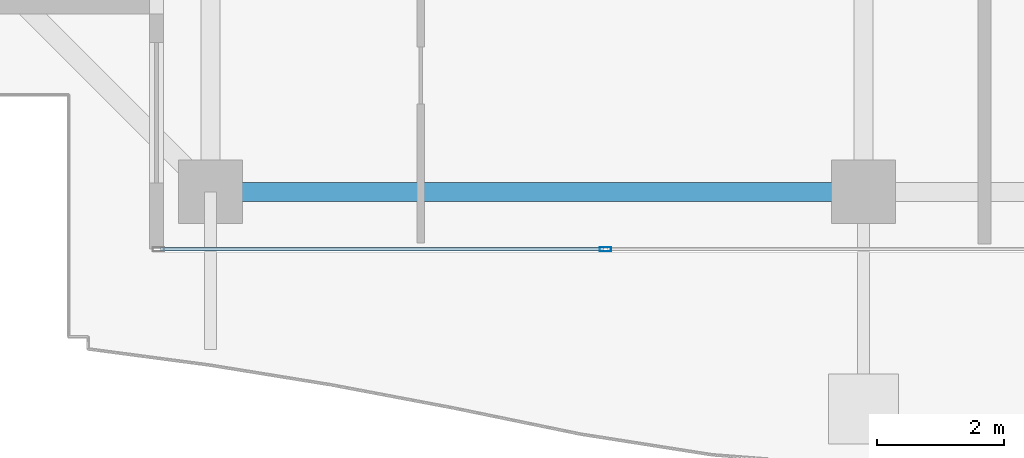
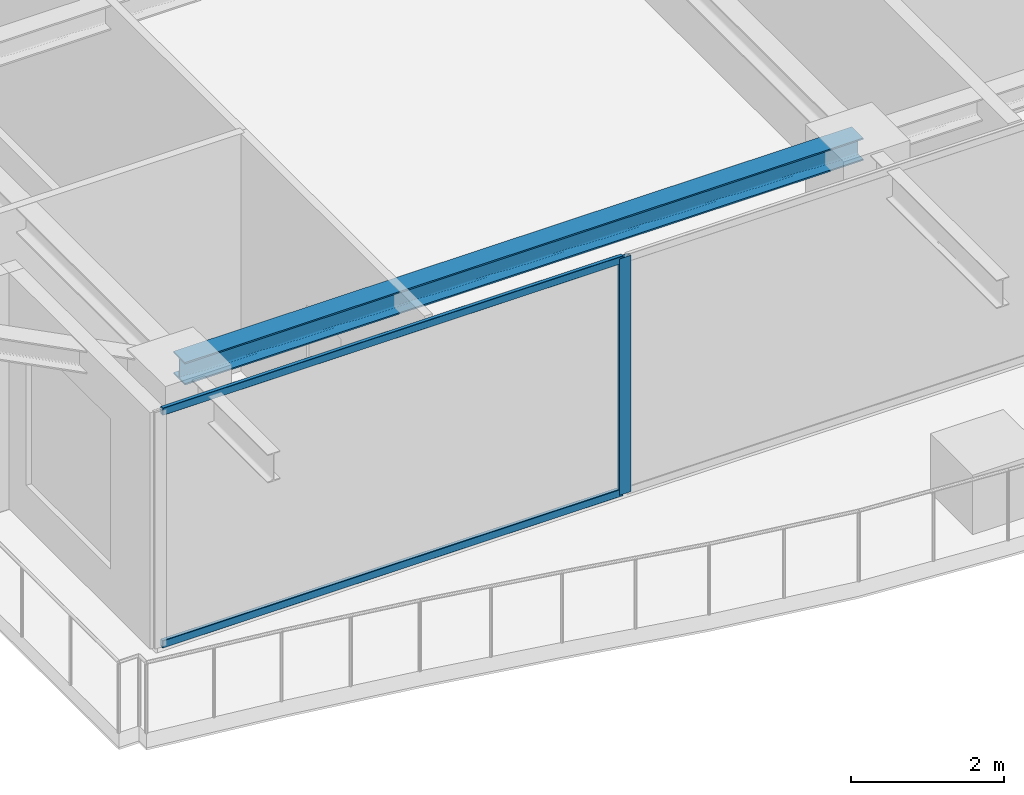
# One storey, part 3 of 42: 3 members, 1 beam, 1 element without a shape of its own.
"""IFC4 building model written with IfcOpenShell, lengths in metres."""

from ifc_helpers import new_model, si_unit, direction, frame, origin, origin_2d, place, context, subcontext, project, spatial, hollow_rectangle, i_section, extrude, source, transform, mapped, material, layer, layer_set, material_profile, profile_set, type_object, element, aggregate, save


model = new_model("IFC4")

# Units and contexts
model_context = context("Model", 3, precision=1e-05, world=origin(), true_north=direction((0.0, 1.0)))
body_context = subcontext(model_context, "Body", "Model", "MODEL_VIEW")
ifc_project = project(units=[si_unit("LENGTHUNIT", "METRE"), si_unit("AREAUNIT", "SQUARE_METRE"), si_unit("VOLUMEUNIT", "CUBIC_METRE"), si_unit("PLANEANGLEUNIT", "RADIAN"), si_unit("MASSUNIT", "GRAM", prefix="KILO")], contexts=[model_context])

# Site, building, storey
site_placement = place(None, origin())
site = spatial("IfcSite", under=ifc_project, at=site_placement, CompositionType="ELEMENT")
building_placement = place(site_placement, origin())
building = spatial("IfcBuilding", under=site, at=building_placement, Name="Serunith Strait Residences", CompositionType="ELEMENT")
storey_placement = place(building_placement, frame((0.0, 0.0, 293.449951171875)))
storey = spatial("IfcBuildingStorey", under=building, at=storey_placement, Name="L73", CompositionType="ELEMENT", Elevation=293.449951171875)

# Beam
ifc_material_1 = material(Name="Steel S355J2", Category="steel")
ifc_material_profile_1 = material_profile(ifc_material_1, i_section(OverallWidth=0.300048828125, OverallDepth=0.360107421875, WebThickness=0.012451171875, FlangeThickness=0.0224609375, FilletRadius=0.027099609375, at=origin_2d()), Name="HEB 360")
ifc_profile_set_1 = profile_set([ifc_material_profile_1], Name="Steel S355J2")
beam_type = type_object("IfcBeamType", Name="BM-HEB360", PredefinedType="BEAM", material=ifc_profile_set_1)
shared_shape_1 = source(origin(), body_context, "Body", "SweptSolid", [
    extrude(i_section(OverallWidth=0.300048828125, OverallDepth=0.360107421875, WebThickness=0.012451171875, FlangeThickness=0.0224609375, FilletRadius=0.027099609375, at=origin_2d()), origin(), (0.0, 0.0, 1.0), 10.25),
])
beam_placement = place(storey_placement, frame((17.64990234375, 3.300048828125, 3.60693359375), z_axis=(1.0, 0.0, 0.0), x_axis=(0.0, 1.0, 0.0)))
element("IfcBeam", 1, at=beam_placement, inside=storey, type_object=beam_type, Name="L73 Perimeter Ring Beam 01", PredefinedType="BEAM", context=body_context, shape_type="MappedRepresentation", body=[
    mapped(shared_shape_1, transform((0.0, 0.0, 0.0), scale=1.0)),
])

# Curtain wall, members
ifc_material_2 = material(Name="Brushed Stainless-Silver Aluminium", Category="aluminium")
ifc_layer = layer(ifc_material_2, 0.199951171875, Name="Brushed Stainless-Silver Aluminium")
ifc_layer_set = layer_set([ifc_layer], Name="Brushed Stainless-Silver Aluminium")
curtain_wall_type = type_object("IfcCurtainWallType", Name="CW-SYS5", PredefinedType="NOTDEFINED", material=ifc_layer_set)
curtain_wall_placement = place(storey_placement, origin())
curtain_wall = element("IfcCurtainWall", 2, at=curtain_wall_placement, inside=storey, type_object=curtain_wall_type, Name="L73 S Unitised Fritted Curtain Wall", PredefinedType="NOTDEFINED")
ifc_material_profile_2 = material_profile(ifc_material_2, hollow_rectangle(XDim=0.06494140625, YDim=0.179931640625, WallThickness=0.00341796875, InnerFilletRadius=0.00537109375, OuterFilletRadius=0.0087890625, at=origin_2d()), Name="ALU 180x65x3.5")
ifc_profile_set_2 = profile_set([ifc_material_profile_2], Name="Brushed Stainless-Silver Aluminium")
member_type_1 = type_object("IfcMemberType", Name="CW-SYS5-MULL", PredefinedType="MULLION", material=ifc_profile_set_2)
shared_shape_2 = source(origin(), body_context, "Body", "SweptSolid", [
    extrude(hollow_rectangle(XDim=0.06494140625, YDim=0.179931640625, WallThickness=0.00341796875, InnerFilletRadius=0.00537109375, OuterFilletRadius=0.0087890625, at=origin_2d()), origin(), (0.0, 0.0, 1.0), 3.775146484375),
])
member_1_placement = place(storey_placement, frame((23.85009765625, 2.39990234375, 0.0), z_axis=(0.0, 0.0, 1.0), x_axis=(0.0, 1.0, 0.0)))
member_1 = element("IfcMember", 3, at=member_1_placement, type_object=member_type_1, Name="CW-5 mullion 2", PredefinedType="MULLION", context=body_context, shape_type="MappedRepresentation", body=[
    mapped(shared_shape_2, transform((0.0, 0.0, 0.0), scale=1.0)),
])
ifc_material_profile_3 = material_profile(ifc_material_2, hollow_rectangle(XDim=0.06005859375, YDim=0.1201171875, WallThickness=0.00341796875, InnerFilletRadius=0.00537109375, OuterFilletRadius=0.0087890625, at=origin_2d()), Name="ALU 120x60x3.5")
ifc_profile_set_3 = profile_set([ifc_material_profile_3], Name="Brushed Stainless-Silver Aluminium")
member_type_2 = type_object("IfcMemberType", Name="CW-SYS5-TRAN", PredefinedType="USERDEFINED", material=ifc_profile_set_3)
shared_shape_3 = source(origin(), body_context, "Body", "SweptSolid", [
    extrude(hollow_rectangle(XDim=0.06005859375, YDim=0.1201171875, WallThickness=0.00341796875, InnerFilletRadius=0.00537109375, OuterFilletRadius=0.0087890625, at=origin_2d()), origin(), (0.0, 0.0, 1.0), 6.952392578125),
])
member_2_placement = place(storey_placement, frame((16.864990234375, 2.39990234375, 0.030029296875), z_axis=(1.0, 0.0, 0.0), x_axis=(0.0, 1.0, 0.0)))
member_2 = element("IfcMember", 4, at=member_2_placement, type_object=member_type_2, Name="CW-5 transom 1.1", ObjectType="TRANSOM", PredefinedType="USERDEFINED", context=body_context, shape_type="MappedRepresentation", body=[
    mapped(shared_shape_3, transform((0.0, 0.0, 0.0), scale=1.0)),
])
member_3_placement = place(storey_placement, frame((16.864990234375, 2.39990234375, 3.7451171875), z_axis=(1.0, 0.0, 0.0), x_axis=(0.0, 1.0, 0.0)))
member_3 = element("IfcMember", 5, at=member_3_placement, type_object=member_type_2, Name="CW-5 transom 1.2", ObjectType="TRANSOM", PredefinedType="USERDEFINED", context=body_context, shape_type="MappedRepresentation", body=[
    mapped(shared_shape_3, transform((0.0, 0.0, 0.0), scale=1.0)),
])
aggregate(curtain_wall, [member_1, member_2, member_3])

save(model, "model.ifc")
